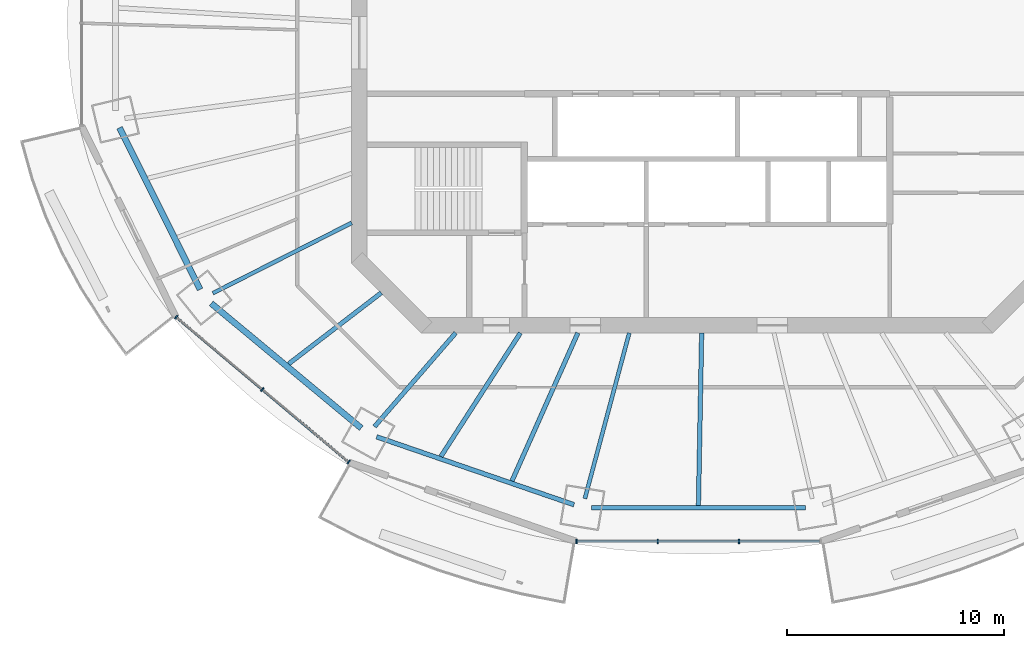
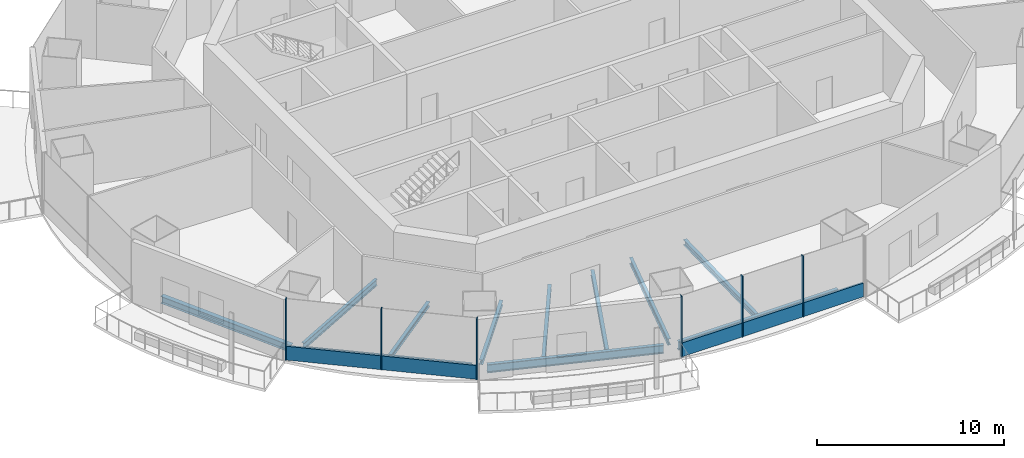
# One storey, part 2 of 16: 11 beams, 8 members, 2 elements without a shape of their own.
"""IFC4 building model written with IfcOpenShell, lengths in metres."""

from ifc_helpers import new_model, si_unit, direction, frame, origin, origin_2d, place, context, subcontext, project, spatial, rectangle, i_section, extrude, material, material_profile, profile_set, type_object, element, aggregate, save


model = new_model("IFC4")

# Units and contexts
model_context = context("Model", 3, precision=1e-05, world=origin(), true_north=direction((0.0, 1.0)))
body_context = subcontext(model_context, "Body", "Model", "MODEL_VIEW")
ifc_project = project(units=[si_unit("LENGTHUNIT", "METRE"), si_unit("AREAUNIT", "SQUARE_METRE"), si_unit("VOLUMEUNIT", "CUBIC_METRE"), si_unit("PLANEANGLEUNIT", "RADIAN"), si_unit("MASSUNIT", "GRAM", prefix="KILO")], contexts=[model_context])

# Site, building, storey
site_placement = place(None, origin())
site = spatial("IfcSite", under=ifc_project, at=site_placement, CompositionType="ELEMENT")
building_placement = place(site_placement, origin())
building = spatial("IfcBuilding", under=site, at=building_placement, Name="Marenthal Gate Tower", CompositionType="ELEMENT")
storey_placement = place(building_placement, frame((0.0, 0.0, 288.64990234375)))
storey = spatial("IfcBuildingStorey", under=building, at=storey_placement, Name="L64", CompositionType="ELEMENT", Elevation=288.64990234375)

# Curtain wall, members
ifc_material_1 = material(Name="Aluminium and glass", Category="aluminium")
curtain_wall_type = type_object("IfcCurtainWallType", Name="Curtain wall typical high", PredefinedType="NOTDEFINED", material=ifc_material_1)
curtain_wall_1_placement = place(storey_placement, origin())
curtain_wall_1 = element("IfcCurtainWall", 1, at=curtain_wall_1_placement, inside=storey, type_object=curtain_wall_type, Name="Curtain wall L64 bay 10", PredefinedType="NOTDEFINED")
ifc_material_2 = material(Name="Aluminium", Category="aluminium")
ifc_material_profile_1 = material_profile(ifc_material_2, rectangle(XDim=0.199951171875, YDim=0.06005859375, at=origin_2d()), Name="60x200 aluminium mullion")
ifc_profile_set_1 = profile_set([ifc_material_profile_1], Name="Aluminium")
member_type_1 = type_object("IfcMemberType", Name="Mullion 60x200 typical high", PredefinedType="MULLION", material=ifc_profile_set_1)
member_1_placement = place(storey_placement, frame((-24.42138671875, -12.621337890625, 0.0), z_axis=(0.0, 0.0, 1.0), x_axis=(0.643380191367, 0.76554681722, 0.0)))
member_1 = element("IfcMember", 2, at=member_1_placement, type_object=member_type_1, Name="Mullion L64 bay 10.1", PredefinedType="MULLION", context=body_context, shape_type="SweptSolid", body=[
    extrude(rectangle(XDim=0.199951171875, YDim=0.06005859375, at=origin_2d()), origin(), (0.0, 0.0, 1.0), 3.97021484375),
])
member_2_placement = place(storey_placement, frame((-20.455322265625, -15.95458984375, 0.0), z_axis=(0.0, 0.0, 1.0), x_axis=(0.643380191367, 0.76554681722, 0.0)))
member_2 = element("IfcMember", 3, at=member_2_placement, type_object=member_type_1, Name="Mullion L64 bay 10.2", PredefinedType="MULLION", context=body_context, shape_type="SweptSolid", body=[
    extrude(rectangle(XDim=0.199951171875, YDim=0.06005859375, at=origin_2d()), origin(), (0.0, 0.0, 1.0), 3.97021484375),
])
member_3_placement = place(storey_placement, frame((-16.489013671875, -19.287841796875, 0.0), z_axis=(0.0, 0.0, 1.0), x_axis=(0.643380191367, 0.76554681722, 0.0)))
member_3 = element("IfcMember", 4, at=member_3_placement, type_object=member_type_1, Name="Mullion L64 bay 10.3", PredefinedType="MULLION", context=body_context, shape_type="SweptSolid", body=[
    extrude(rectangle(XDim=0.199951171875, YDim=0.06005859375, at=origin_2d()), origin(), (0.0, 0.0, 1.0), 3.97021484375),
])

curtain_wall_2_placement = place(storey_placement, origin())
curtain_wall_2 = element("IfcCurtainWall", 5, at=curtain_wall_2_placement, inside=storey, type_object=curtain_wall_type, Name="Curtain wall L64 bay 12", PredefinedType="NOTDEFINED")
member_4_placement = place(storey_placement, frame((-6.01171875, -22.93603515625, 0.0), z_axis=(0.0, 0.0, 1.0), x_axis=(0.0, 1.0, 0.0)))
member_4 = element("IfcMember", 6, at=member_4_placement, type_object=member_type_1, Name="Mullion L64 bay 12.1", PredefinedType="MULLION", context=body_context, shape_type="SweptSolid", body=[
    extrude(rectangle(XDim=0.199951171875, YDim=0.06005859375, at=origin_2d()), origin(), (0.0, 0.0, 1.0), 3.97021484375),
])
member_5_placement = place(storey_placement, frame((-2.2705078125, -22.93603515625, 0.0), z_axis=(0.0, 0.0, 1.0), x_axis=(0.0, 1.0, 0.0)))
member_5 = element("IfcMember", 7, at=member_5_placement, type_object=member_type_1, Name="Mullion L64 bay 12.2", PredefinedType="MULLION", context=body_context, shape_type="SweptSolid", body=[
    extrude(rectangle(XDim=0.199951171875, YDim=0.06005859375, at=origin_2d()), origin(), (0.0, 0.0, 1.0), 3.97021484375),
])
member_6_placement = place(storey_placement, frame((1.470458984375, -22.93603515625, 0.0), z_axis=(0.0, 0.0, 1.0), x_axis=(0.0, 1.0, 0.0)))
member_6 = element("IfcMember", 8, at=member_6_placement, type_object=member_type_1, Name="Mullion L64 bay 12.3", PredefinedType="MULLION", context=body_context, shape_type="SweptSolid", body=[
    extrude(rectangle(XDim=0.199951171875, YDim=0.06005859375, at=origin_2d()), origin(), (0.0, 0.0, 1.0), 3.97021484375),
])

# Member
ifc_material_3 = material(Name="Aluminium", Category="aluminium")
ifc_material_profile_2 = material_profile(ifc_material_3, rectangle(XDim=0.1201171875, YDim=0.89990234375, at=origin_2d()), Name="120x900 aluminium transom")
ifc_profile_set_2 = profile_set([ifc_material_profile_2], Name="Aluminium")
member_type_2 = type_object("IfcMemberType", Name="Transom 120x900 typical high", PredefinedType="USERDEFINED", material=ifc_profile_set_2)
member_7_placement = place(storey_placement, frame((-24.3984375, -12.640625, 0.4501953125), z_axis=(0.765547508353, -0.643379368999, 0.0), x_axis=(0.643379368999, 0.765547508353, 0.0)))
member_7 = element("IfcMember", 9, at=member_7_placement, type_object=member_type_2, Name="Transom L64 bay 10", ObjectType="TRANSOM", PredefinedType="USERDEFINED", context=body_context, shape_type="SweptSolid", body=[
    extrude(rectangle(XDim=0.1201171875, YDim=0.89990234375, at=origin_2d()), origin(), (0.0, 0.0, 1.0), 10.3017578125),
])

aggregate(curtain_wall_1, [member_1, member_2, member_3, member_7])

member_8_placement = place(storey_placement, frame((-5.981689453125, -22.93603515625, 0.4501953125), z_axis=(1.0, 0.0, 0.0), x_axis=(0.0, 1.0, 0.0)))
member_8 = element("IfcMember", 10, at=member_8_placement, type_object=member_type_2, Name="Transom L64 bay 12", ObjectType="TRANSOM", PredefinedType="USERDEFINED", context=body_context, shape_type="SweptSolid", body=[
    extrude(rectangle(XDim=0.1201171875, YDim=0.89990234375, at=origin_2d()), origin(), (0.0, 0.0, 1.0), 11.163330078125),
])

aggregate(curtain_wall_2, [member_4, member_5, member_6, member_8])

# Beams
ifc_material_4 = material(Name="Steel S355", Category="steel")
ifc_material_profile_3 = material_profile(ifc_material_4, i_section(OverallWidth=0.202880859375, OverallDepth=0.302001953125, WebThickness=0.007568359375, FlangeThickness=0.01318359375, FilletRadius=0.0126953125, at=origin_2d()), Name="W310X60")
ifc_profile_set_3 = profile_set([ifc_material_profile_3], Name="Steel S355")
beam_type_1 = type_object("IfcBeamType", Name="W310X60 beam", PredefinedType="BEAM", material=ifc_profile_set_3)
beam_1_placement = place(storey_placement, frame((-19.24609375, -14.771728515625, -0.330810546875), z_axis=(0.793283258517, 0.608852750471, 0.0), x_axis=(-0.608852750471, 0.793283258517, 0.0)))
element("IfcBeam", 11, at=beam_1_placement, inside=storey, type_object=beam_type_1, Name="BM-L64-31", PredefinedType="BEAM", context=body_context, shape_type="SweptSolid", body=[
    extrude(i_section(OverallWidth=0.202880859375, OverallDepth=0.302001953125, WebThickness=0.007568359375, FlangeThickness=0.01318359375, FilletRadius=0.0126953125, at=origin_2d()), origin(), (0.0, 0.0, 1.0), 5.365234375),
])
ifc_material_5 = material(Name="Steel S355", Category="steel")
ifc_material_profile_4 = material_profile(ifc_material_5, i_section(OverallWidth=0.205078125, OverallDepth=0.31005859375, WebThickness=0.009521484375, FlangeThickness=0.016357421875, FilletRadius=0.0126953125, at=origin_2d()), Name="W310X74")
ifc_profile_set_4 = profile_set([ifc_material_profile_4], Name="Steel S355")
beam_type_2 = type_object("IfcBeamType", Name="W310X74 beam", PredefinedType="BEAM", material=ifc_profile_set_4)
beam_2_placement = place(storey_placement, frame((-15.296630859375, -17.656982421875, -0.3349609375), z_axis=(0.654786987861, 0.755813469401, 0.0), x_axis=(-0.755813469401, 0.654786987861, 0.0)))
element("IfcBeam", 12, at=beam_2_placement, inside=storey, type_object=beam_type_2, Name="BM-L64-11", PredefinedType="BEAM", context=body_context, shape_type="SweptSolid", body=[
    extrude(i_section(OverallWidth=0.205078125, OverallDepth=0.31005859375, WebThickness=0.009521484375, FlangeThickness=0.016357421875, FilletRadius=0.0126953125, at=origin_2d()), origin(), (0.0, 0.0, 1.0), 5.6982421875),
])
beam_3_placement = place(storey_placement, frame((-12.244140625, -19.03271484375, -0.3349609375), z_axis=(0.541035136328, 0.840999988858, 0.0), x_axis=(-0.840999988858, 0.541035136328, 0.0)))
element("IfcBeam", 13, at=beam_3_placement, inside=storey, type_object=beam_type_2, Name="BM-L64-32", PredefinedType="BEAM", context=body_context, shape_type="SweptSolid", body=[
    extrude(i_section(OverallWidth=0.205078125, OverallDepth=0.31005859375, WebThickness=0.009521484375, FlangeThickness=0.016357421875, FilletRadius=0.0126953125, at=origin_2d()), origin(), (0.0, 0.0, 1.0), 6.757080078125),
])
ifc_material_6 = material(Name="Steel S355", Category="steel")
ifc_material_profile_5 = material_profile(ifc_material_6, i_section(OverallWidth=0.205078125, OverallDepth=0.35302734375, WebThickness=0.009521484375, FlangeThickness=0.016845703125, FilletRadius=0.014892578125, at=origin_2d()), Name="W360X79")
ifc_profile_set_5 = profile_set([ifc_material_profile_5], Name="Steel S355")
beam_type_3 = type_object("IfcBeamType", Name="W360X79 beam", PredefinedType="BEAM", material=ifc_profile_set_5)
beam_4_placement = place(storey_placement, frame((-8.97509765625, -20.158203125, -0.3564453125), z_axis=(0.406746290915, 0.913541162087, 0.0), x_axis=(-0.913541162087, 0.406746290915, 0.0)))
element("IfcBeam", 14, at=beam_4_placement, inside=storey, type_object=beam_type_3, Name="BM-L64-33", PredefinedType="BEAM", context=body_context, shape_type="SweptSolid", body=[
    extrude(i_section(OverallWidth=0.205078125, OverallDepth=0.35302734375, WebThickness=0.009521484375, FlangeThickness=0.016845703125, FilletRadius=0.014892578125, at=origin_2d()), origin(), (0.0, 0.0, 1.0), 7.452392578125),
])
beam_5_placement = place(storey_placement, frame((-0.39794921875, -21.280517578125, -0.3564453125), z_axis=(0.018683435883, 0.999825449378, 0.0), x_axis=(-0.999825449378, 0.018683435883, 0.0)))
element("IfcBeam", 15, at=beam_5_placement, inside=storey, type_object=beam_type_3, Name="BM-L64-34", PredefinedType="BEAM", context=body_context, shape_type="SweptSolid", body=[
    extrude(i_section(OverallWidth=0.205078125, OverallDepth=0.35302734375, WebThickness=0.009521484375, FlangeThickness=0.016845703125, FilletRadius=0.014892578125, at=origin_2d()), origin(), (0.0, 0.0, 1.0), 7.931884765625),
])
ifc_material_7 = material(Name="Steel S355", Category="steel")
ifc_material_profile_6 = material_profile(ifc_material_7, i_section(OverallWidth=0.180908203125, OverallDepth=0.4169921875, WebThickness=0.010986328125, FlangeThickness=0.018310546875, FilletRadius=0.01025390625, at=origin_2d()), Name="W410X85")
ifc_profile_set_6 = profile_set([ifc_material_profile_6], Name="Steel S355")
beam_type_4 = type_object("IfcBeamType", Name="W410X85 beam", PredefinedType="BEAM", material=ifc_profile_set_6)
beam_6_placement = place(storey_placement, frame((-22.7333984375, -11.52294921875, -0.388427734375), z_axis=(0.891957457123, 0.452119336772, 0.0), x_axis=(-0.452119336772, 0.891957457123, 0.0)))
element("IfcBeam", 16, at=beam_6_placement, inside=storey, type_object=beam_type_4, Name="BM-L64-10", PredefinedType="BEAM", context=body_context, shape_type="SweptSolid", body=[
    extrude(i_section(OverallWidth=0.180908203125, OverallDepth=0.4169921875, WebThickness=0.010986328125, FlangeThickness=0.018310546875, FilletRadius=0.01025390625, at=origin_2d()), origin(), (0.0, 0.0, 1.0), 7.156494140625),
])
beam_7_placement = place(storey_placement, frame((-5.622314453125, -20.971435546875, -0.388427734375), z_axis=(0.258946932177, 0.965891549977, 0.0), x_axis=(-0.965891549977, 0.258946932177, 0.0)))
element("IfcBeam", 17, at=beam_7_placement, inside=storey, type_object=beam_type_4, Name="BM-L64-12", PredefinedType="BEAM", context=body_context, shape_type="SweptSolid", body=[
    extrude(i_section(OverallWidth=0.180908203125, OverallDepth=0.4169921875, WebThickness=0.010986328125, FlangeThickness=0.018310546875, FilletRadius=0.01025390625, at=origin_2d()), origin(), (0.0, 0.0, 1.0), 7.890380859375),
])
ifc_material_8 = material(Name="Steel S355", Category="steel")
ifc_material_profile_7 = material_profile(ifc_material_8, i_section(OverallWidth=0.279052734375, OverallDepth=0.4619140625, WebThickness=0.0107421875, FlangeThickness=0.017333984375, FilletRadius=0.010009765625, at=origin_2d()), Name="W460X113")
ifc_profile_set_7 = profile_set([ifc_material_profile_7], Name="Steel S355")
beam_type_5 = type_object("IfcBeamType", Name="W460X113 beam", PredefinedType="BEAM", material=ifc_profile_set_7)
beam_8_placement = place(storey_placement, frame((-27.023681640625, -3.912353515625, -0.410888671875), z_axis=(0.446025836929, -0.895020085133, 0.0), x_axis=(0.895020085133, 0.446025836929, 0.0)))
element("IfcBeam", 18, at=beam_8_placement, inside=storey, type_object=beam_type_5, Name="BM-L64-49", PredefinedType="BEAM", context=body_context, shape_type="SweptSolid", body=[
    extrude(i_section(OverallWidth=0.279052734375, OverallDepth=0.4619140625, WebThickness=0.0107421875, FlangeThickness=0.017333984375, FilletRadius=0.010009765625, at=origin_2d()), origin(), (0.0, 0.0, 1.0), 8.306884765625),
])
beam_9_placement = place(storey_placement, frame((-22.80908203125, -11.99169921875, -0.410888671875), z_axis=(0.769034611426, -0.639207138906, 0.0), x_axis=(0.639207138906, 0.769034611426, 0.0)))
element("IfcBeam", 19, at=beam_9_placement, inside=storey, type_object=beam_type_5, Name="BM-L64-50", PredefinedType="BEAM", context=body_context, shape_type="SweptSolid", body=[
    extrude(i_section(OverallWidth=0.279052734375, OverallDepth=0.4619140625, WebThickness=0.0107421875, FlangeThickness=0.017333984375, FilletRadius=0.010009765625, at=origin_2d()), origin(), (0.0, 0.0, 1.0), 8.9736328125),
])
ifc_material_9 = material(Name="Steel S355", Category="steel")
ifc_material_profile_8 = material_profile(ifc_material_9, i_section(OverallWidth=0.2119140625, OverallDepth=0.5439453125, WebThickness=0.01318359375, FlangeThickness=0.021240234375, FilletRadius=0.0126953125, at=origin_2d()), Name="W530X123")
ifc_profile_set_8 = profile_set([ifc_material_profile_8], Name="Steel S355")
beam_type_6 = type_object("IfcBeamType", Name="W530X123 beam", PredefinedType="BEAM", material=ifc_profile_set_8)
beam_10_placement = place(storey_placement, frame((-15.19677734375, -18.128173828125, -0.451904296875), z_axis=(0.945528342473, -0.325539788013, 0.0), x_axis=(0.325539788013, 0.945528342473, 0.0)))
element("IfcBeam", 20, at=beam_10_placement, inside=storey, type_object=beam_type_6, Name="BM-L64-51", PredefinedType="BEAM", context=body_context, shape_type="SweptSolid", body=[
    extrude(i_section(OverallWidth=0.2119140625, OverallDepth=0.5439453125, WebThickness=0.01318359375, FlangeThickness=0.021240234375, FilletRadius=0.0126953125, at=origin_2d()), origin(), (0.0, 0.0, 1.0), 9.595703125),
])
beam_11_placement = place(storey_placement, frame((-5.3212890625, -21.386474609375, -0.451904296875), z_axis=(1.0, 0.0, 0.0), x_axis=(0.0, 1.0, 0.0)))
element("IfcBeam", 21, at=beam_11_placement, inside=storey, type_object=beam_type_6, Name="BM-L64-52", PredefinedType="BEAM", context=body_context, shape_type="SweptSolid", body=[
    extrude(i_section(OverallWidth=0.2119140625, OverallDepth=0.5439453125, WebThickness=0.01318359375, FlangeThickness=0.021240234375, FilletRadius=0.0126953125, at=origin_2d()), origin(), (0.0, 0.0, 1.0), 9.842529296875),
])

save(model, "model.ifc")
